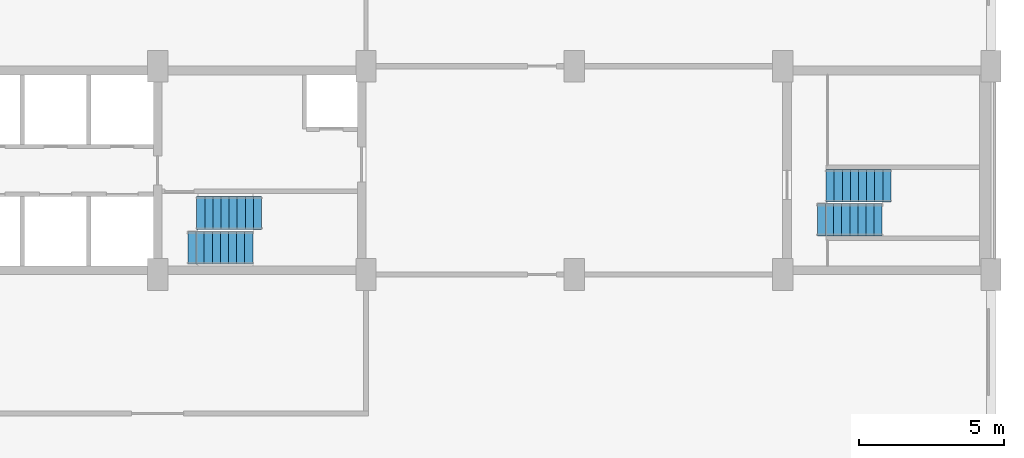
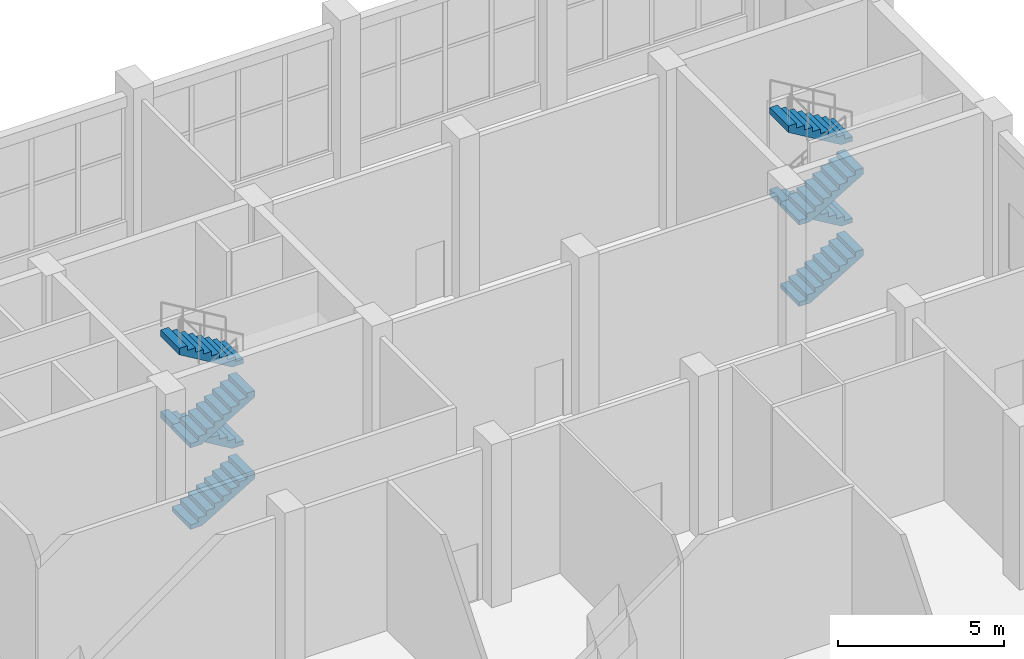
# One storey, part 39 of 44: 8 stair flights, 2 elements without a shape of their own.
"""IFC4 building model written with IfcOpenShell, lengths in metres."""

from ifc_helpers import new_model, si_unit, direction, frame, origin, place, context, subcontext, project, spatial, polyline, outline, extrude, material, type_object, element, aggregate, save


model = new_model("IFC4")

# Units and contexts
model_context = context("Model", 3, precision=1e-05, world=origin(), true_north=direction((0.0, 1.0)))
body_context = subcontext(model_context, "Body", "Model", "MODEL_VIEW")
ifc_project = project(units=[si_unit("LENGTHUNIT", "METRE"), si_unit("AREAUNIT", "SQUARE_METRE"), si_unit("VOLUMEUNIT", "CUBIC_METRE"), si_unit("PLANEANGLEUNIT", "RADIAN"), si_unit("MASSUNIT", "GRAM", prefix="KILO")], contexts=[model_context])

# Site, building, storey
site_placement = place(None, origin())
site = spatial("IfcSite", under=ifc_project, at=site_placement, CompositionType="ELEMENT")
building_placement = place(site_placement, origin())
building = spatial("IfcBuilding", under=site, at=building_placement, Name="Vermilion Court Aquatics Centre", CompositionType="ELEMENT")
storey_placement = place(building_placement, frame((0.0, 0.0, 6.0)))
storey = spatial("IfcBuildingStorey", under=building, at=storey_placement, Name="L01", CompositionType="ELEMENT", Elevation=6.0)

# Stair, stair flights
ifc_material_1 = material(Name="Concrete 5000 psi", Category="concrete")
stair_type = type_object("IfcStairType", Name="North block exit stair 1130", PredefinedType="HALF_TURN_STAIR", material=ifc_material_1)
stair_1_placement = place(storey_placement, origin())
stair_1 = element("IfcStair", 1, at=stair_1_placement, inside=storey, type_object=stair_type, Name="Exit stair ST-T2 L01", PredefinedType="HALF_TURN_STAIR")
ifc_material_2 = material(Name="Concrete 5000 psi", Category="concrete")
stair_flight_type = type_object("IfcStairFlightType", Name="North block stair flight 1130", PredefinedType="STRAIGHT", material=ifc_material_2)
stair_flight_1_placement = place(storey_placement, frame((188.39990234375, 102.695068359375, 0.0), z_axis=(0.0, 0.0, 1.0), x_axis=(1.0, 0.0, 0.0)))
stair_flight_1 = element("IfcStairFlight", 2, at=stair_flight_1_placement, type_object=stair_flight_type, Name="ST-T2 flight 1", NumberOfRisers=9, NumberOfTreads=8, PredefinedType="STRAIGHT", RiserHeight=0.166667, TreadLength=0.28, context=body_context, shape_type="SweptSolid", body=[
    extrude(outline(polyline([(0.0, 0.0), (0.0, 0.166748046875), (0.280029296875, 0.166748046875), (0.280029296875, 0.333251953125), (0.56005859375, 0.333251953125), (0.56005859375, 0.5), (0.840087890625, 0.5), (0.840087890625, 0.666748046875), (1.1201171875, 0.666748046875), (1.1201171875, 0.833251953125), (1.39990234375, 0.833251953125), (1.39990234375, 1.0), (1.679931640625, 1.0), (1.679931640625, 1.166748046875), (1.9599609375, 1.166748046875), (1.9599609375, 1.333251953125), (2.239990234375, 1.333251953125), (2.239990234375, 1.5), (2.239990234375, 1.1005859375), (0.390869140625, 0.0), (0.0, 0.0)])), frame((0.0, 0.56494140625, 0.0), z_axis=(0.0, -1.0, 0.0), x_axis=(1.0, 0.0, 0.0)), (0.0, 0.0, 1.0), 1.1298828125),
])
stair_flight_2_placement = place(storey_placement, frame((190.93994140625, 103.864990234375, 1.5), z_axis=(0.0, 0.0, 1.0), x_axis=(-1.0, 0.0, 0.0)))
stair_flight_2 = element("IfcStairFlight", 3, at=stair_flight_2_placement, type_object=stair_flight_type, Name="ST-T2 flight 2", NumberOfRisers=9, NumberOfTreads=8, PredefinedType="STRAIGHT", RiserHeight=0.166667, TreadLength=0.28, context=body_context, shape_type="SweptSolid", body=[
    extrude(outline(polyline([(0.0, 0.0), (0.0, 0.166748046875), (0.280029296875, 0.166748046875), (0.280029296875, 0.333251953125), (0.56005859375, 0.333251953125), (0.56005859375, 0.5), (0.840087890625, 0.5), (0.840087890625, 0.666748046875), (1.1201171875, 0.666748046875), (1.1201171875, 0.833251953125), (1.39990234375, 0.833251953125), (1.39990234375, 1.0), (1.679931640625, 1.0), (1.679931640625, 1.166748046875), (1.9599609375, 1.166748046875), (1.9599609375, 1.333251953125), (2.239990234375, 1.333251953125), (2.239990234375, 1.5), (2.239990234375, 1.1005859375), (0.390869140625, 0.0), (0.0, 0.0)])), frame((0.0, 0.56494140625, 0.0), z_axis=(0.0, -1.0, 0.0), x_axis=(1.0, 0.0, 0.0)), (0.0, 0.0, 1.0), 1.1298828125),
])
stair_flight_3_placement = place(storey_placement, frame((188.39990234375, 102.695068359375, 3.0), z_axis=(0.0, 0.0, 1.0), x_axis=(1.0, 0.0, 0.0)))
stair_flight_3 = element("IfcStairFlight", 4, at=stair_flight_3_placement, type_object=stair_flight_type, Name="ST-T2 flight 3", NumberOfRisers=9, NumberOfTreads=8, PredefinedType="STRAIGHT", RiserHeight=0.166667, TreadLength=0.28, context=body_context, shape_type="SweptSolid", body=[
    extrude(outline(polyline([(0.0, 0.0), (0.0, 0.166748046875), (0.280029296875, 0.166748046875), (0.280029296875, 0.333251953125), (0.56005859375, 0.333251953125), (0.56005859375, 0.5), (0.840087890625, 0.5), (0.840087890625, 0.666748046875), (1.1201171875, 0.666748046875), (1.1201171875, 0.833251953125), (1.39990234375, 0.833251953125), (1.39990234375, 1.0), (1.679931640625, 1.0), (1.679931640625, 1.166748046875), (1.9599609375, 1.166748046875), (1.9599609375, 1.333251953125), (2.239990234375, 1.333251953125), (2.239990234375, 1.5), (2.239990234375, 1.1005859375), (0.390869140625, 0.0), (0.0, 0.0)])), frame((0.0, 0.56494140625, 0.0), z_axis=(0.0, -1.0, 0.0), x_axis=(1.0, 0.0, 0.0)), (0.0, 0.0, 1.0), 1.1298828125),
])
stair_flight_4_placement = place(storey_placement, frame((190.93994140625, 103.864990234375, 4.5), z_axis=(0.0, 0.0, 1.0), x_axis=(-1.0, 0.0, 0.0)))
stair_flight_4 = element("IfcStairFlight", 5, at=stair_flight_4_placement, type_object=stair_flight_type, Name="ST-T2 flight 4", NumberOfRisers=9, NumberOfTreads=8, PredefinedType="STRAIGHT", RiserHeight=0.166667, TreadLength=0.28, context=body_context, shape_type="SweptSolid", body=[
    extrude(outline(polyline([(0.0, 0.0), (0.0, 0.166748046875), (0.280029296875, 0.166748046875), (0.280029296875, 0.333251953125), (0.56005859375, 0.333251953125), (0.56005859375, 0.5), (0.840087890625, 0.5), (0.840087890625, 0.666748046875), (1.1201171875, 0.666748046875), (1.1201171875, 0.833251953125), (1.39990234375, 0.833251953125), (1.39990234375, 1.0), (1.679931640625, 1.0), (1.679931640625, 1.166748046875), (1.9599609375, 1.166748046875), (1.9599609375, 1.333251953125), (2.239990234375, 1.333251953125), (2.239990234375, 1.5), (2.239990234375, 1.1005859375), (0.390869140625, 0.0), (0.0, 0.0)])), frame((0.0, 0.56494140625, 0.0), z_axis=(0.0, -1.0, 0.0), x_axis=(1.0, 0.0, 0.0)), (0.0, 0.0, 1.0), 1.1298828125),
])
aggregate(stair_1, [stair_flight_1, stair_flight_2, stair_flight_3, stair_flight_4])

stair_2_placement = place(storey_placement, origin())
stair_2 = element("IfcStair", 6, at=stair_2_placement, inside=storey, type_object=stair_type, Name="Exit stair ST-T3 L01", PredefinedType="HALF_TURN_STAIR")
stair_flight_5_placement = place(storey_placement, frame((166.64990234375, 101.72509765625, 0.0), z_axis=(0.0, 0.0, 1.0), x_axis=(1.0, 0.0, 0.0)))
stair_flight_5 = element("IfcStairFlight", 7, at=stair_flight_5_placement, type_object=stair_flight_type, Name="ST-T3 flight 1", NumberOfRisers=9, NumberOfTreads=8, PredefinedType="STRAIGHT", RiserHeight=0.166667, TreadLength=0.28, context=body_context, shape_type="SweptSolid", body=[
    extrude(outline(polyline([(0.0, 0.0), (0.0, 0.166748046875), (0.280029296875, 0.166748046875), (0.280029296875, 0.333251953125), (0.56005859375, 0.333251953125), (0.56005859375, 0.5), (0.840087890625, 0.5), (0.840087890625, 0.666748046875), (1.1201171875, 0.666748046875), (1.1201171875, 0.833251953125), (1.39990234375, 0.833251953125), (1.39990234375, 1.0), (1.679931640625, 1.0), (1.679931640625, 1.166748046875), (1.9599609375, 1.166748046875), (1.9599609375, 1.333251953125), (2.239990234375, 1.333251953125), (2.239990234375, 1.5), (2.239990234375, 1.1005859375), (0.390869140625, 0.0), (0.0, 0.0)])), frame((0.0, 0.56494140625, 0.0), z_axis=(0.0, -1.0, 0.0), x_axis=(1.0, 0.0, 0.0)), (0.0, 0.0, 1.0), 1.1298828125),
])
stair_flight_6_placement = place(storey_placement, frame((169.18994140625, 102.925048828125, 1.5), z_axis=(0.0, 0.0, 1.0), x_axis=(-1.0, 0.0, 0.0)))
stair_flight_6 = element("IfcStairFlight", 8, at=stair_flight_6_placement, type_object=stair_flight_type, Name="ST-T3 flight 2", NumberOfRisers=9, NumberOfTreads=8, PredefinedType="STRAIGHT", RiserHeight=0.166667, TreadLength=0.28, context=body_context, shape_type="SweptSolid", body=[
    extrude(outline(polyline([(0.0, 0.0), (0.0, 0.166748046875), (0.280029296875, 0.166748046875), (0.280029296875, 0.333251953125), (0.56005859375, 0.333251953125), (0.56005859375, 0.5), (0.840087890625, 0.5), (0.840087890625, 0.666748046875), (1.1201171875, 0.666748046875), (1.1201171875, 0.833251953125), (1.39990234375, 0.833251953125), (1.39990234375, 1.0), (1.679931640625, 1.0), (1.679931640625, 1.166748046875), (1.9599609375, 1.166748046875), (1.9599609375, 1.333251953125), (2.239990234375, 1.333251953125), (2.239990234375, 1.5), (2.239990234375, 1.1005859375), (0.390869140625, 0.0), (0.0, 0.0)])), frame((0.0, 0.56494140625, 0.0), z_axis=(0.0, -1.0, 0.0), x_axis=(1.0, 0.0, 0.0)), (0.0, 0.0, 1.0), 1.1298828125),
])
stair_flight_7_placement = place(storey_placement, frame((166.64990234375, 101.72509765625, 3.0), z_axis=(0.0, 0.0, 1.0), x_axis=(1.0, 0.0, 0.0)))
stair_flight_7 = element("IfcStairFlight", 9, at=stair_flight_7_placement, type_object=stair_flight_type, Name="ST-T3 flight 3", NumberOfRisers=9, NumberOfTreads=8, PredefinedType="STRAIGHT", RiserHeight=0.166667, TreadLength=0.28, context=body_context, shape_type="SweptSolid", body=[
    extrude(outline(polyline([(0.0, 0.0), (0.0, 0.166748046875), (0.280029296875, 0.166748046875), (0.280029296875, 0.333251953125), (0.56005859375, 0.333251953125), (0.56005859375, 0.5), (0.840087890625, 0.5), (0.840087890625, 0.666748046875), (1.1201171875, 0.666748046875), (1.1201171875, 0.833251953125), (1.39990234375, 0.833251953125), (1.39990234375, 1.0), (1.679931640625, 1.0), (1.679931640625, 1.166748046875), (1.9599609375, 1.166748046875), (1.9599609375, 1.333251953125), (2.239990234375, 1.333251953125), (2.239990234375, 1.5), (2.239990234375, 1.1005859375), (0.390869140625, 0.0), (0.0, 0.0)])), frame((0.0, 0.56494140625, 0.0), z_axis=(0.0, -1.0, 0.0), x_axis=(1.0, 0.0, 0.0)), (0.0, 0.0, 1.0), 1.1298828125),
])
stair_flight_8_placement = place(storey_placement, frame((169.18994140625, 102.925048828125, 4.5), z_axis=(0.0, 0.0, 1.0), x_axis=(-1.0, 0.0, 0.0)))
stair_flight_8 = element("IfcStairFlight", 10, at=stair_flight_8_placement, type_object=stair_flight_type, Name="ST-T3 flight 4", NumberOfRisers=9, NumberOfTreads=8, PredefinedType="STRAIGHT", RiserHeight=0.166667, TreadLength=0.28, context=body_context, shape_type="SweptSolid", body=[
    extrude(outline(polyline([(0.0, 0.0), (0.0, 0.166748046875), (0.280029296875, 0.166748046875), (0.280029296875, 0.333251953125), (0.56005859375, 0.333251953125), (0.56005859375, 0.5), (0.840087890625, 0.5), (0.840087890625, 0.666748046875), (1.1201171875, 0.666748046875), (1.1201171875, 0.833251953125), (1.39990234375, 0.833251953125), (1.39990234375, 1.0), (1.679931640625, 1.0), (1.679931640625, 1.166748046875), (1.9599609375, 1.166748046875), (1.9599609375, 1.333251953125), (2.239990234375, 1.333251953125), (2.239990234375, 1.5), (2.239990234375, 1.1005859375), (0.390869140625, 0.0), (0.0, 0.0)])), frame((0.0, 0.56494140625, 0.0), z_axis=(0.0, -1.0, 0.0), x_axis=(1.0, 0.0, 0.0)), (0.0, 0.0, 1.0), 1.1298828125),
])
aggregate(stair_2, [stair_flight_5, stair_flight_6, stair_flight_7, stair_flight_8])

save(model, "model.ifc")
